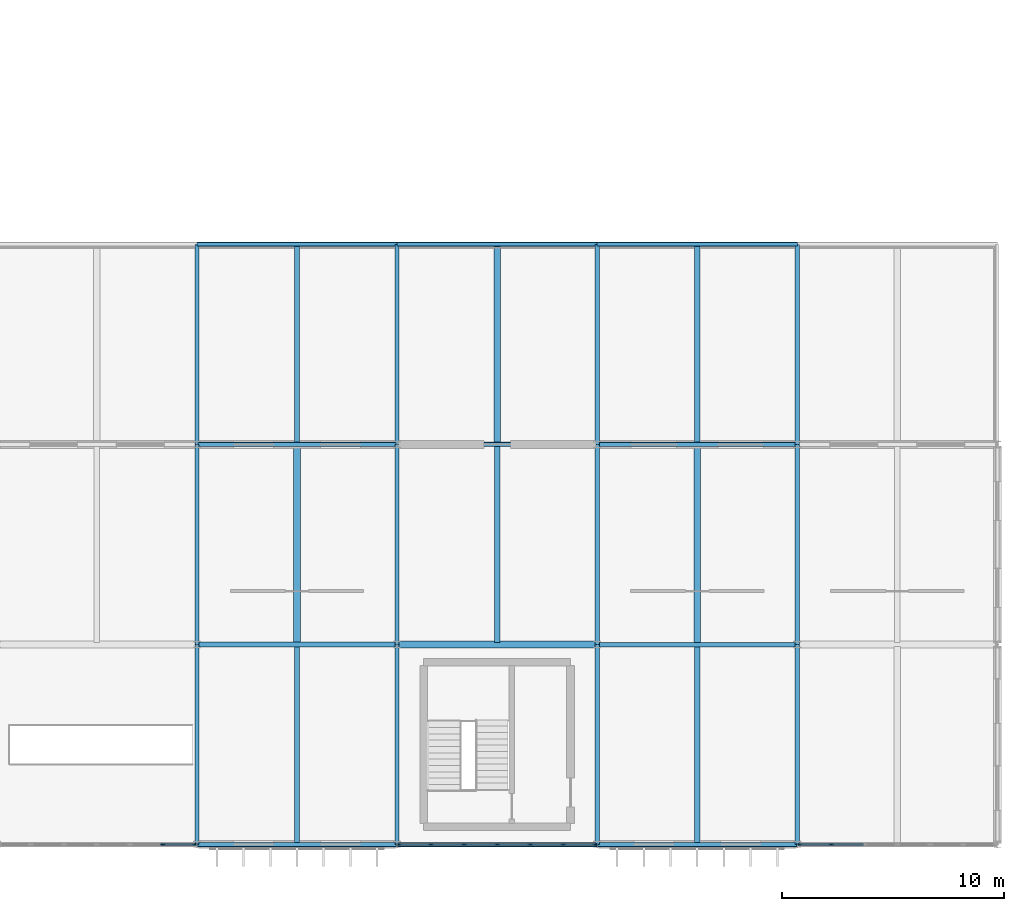
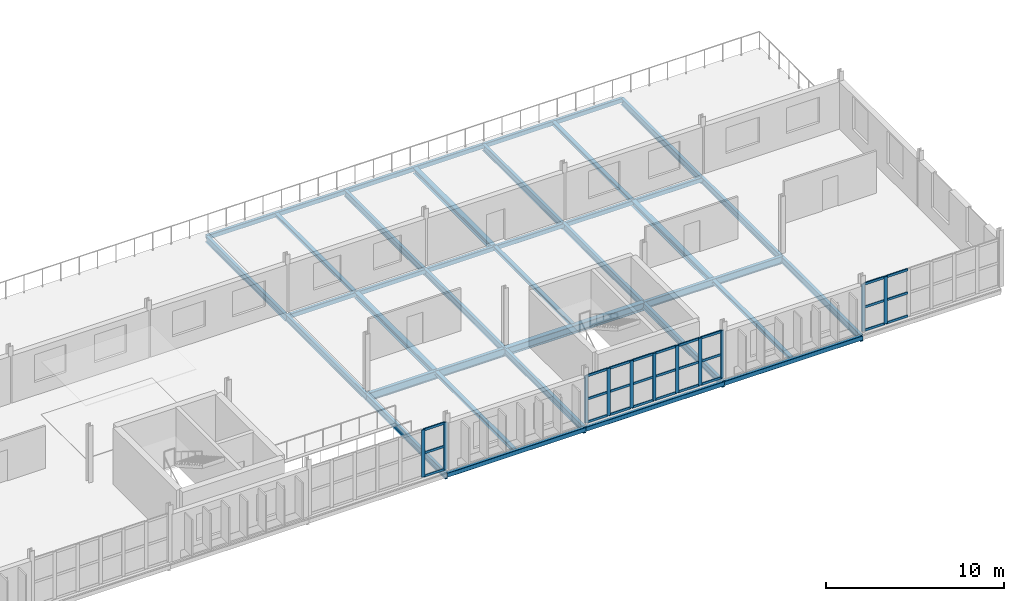
# One storey, part 57 of 123: 38 members, 32 beams, 3 elements without a shape of their own.
"""IFC4 building model written with IfcOpenShell, lengths in metres."""

from ifc_helpers import new_model, si_unit, direction, frame, origin, origin_2d, place, context, subcontext, project, spatial, rectangle, hollow_rectangle, i_section, extrude, material, material_profile, profile_set, type_object, element, aggregate, save


model = new_model("IFC4")

# Units and contexts
model_context = context("Model", 3, precision=1e-05, world=origin(), true_north=direction((0.0, 1.0)))
body_context = subcontext(model_context, "Body", "Model", "MODEL_VIEW")
ifc_project = project(units=[si_unit("LENGTHUNIT", "METRE"), si_unit("AREAUNIT", "SQUARE_METRE"), si_unit("VOLUMEUNIT", "CUBIC_METRE"), si_unit("PLANEANGLEUNIT", "RADIAN"), si_unit("MASSUNIT", "GRAM", prefix="KILO")], contexts=[model_context])

# Site, building, storey
site_placement = place(None, origin())
site = spatial("IfcSite", under=ifc_project, at=site_placement, CompositionType="ELEMENT")
building_placement = place(site_placement, origin())
building = spatial("IfcBuilding", under=site, at=building_placement, Name="Kildeholm Park Wholesale Market", CompositionType="ELEMENT")
storey_placement = place(building_placement, frame((0.0, 0.0, 9.60009765625)))
storey = spatial("IfcBuildingStorey", under=building, at=storey_placement, Name="L02", CompositionType="ELEMENT", Elevation=9.60009765625)

# Beams
ifc_material_1 = material(Name="Steel S355", Category="steel")
ifc_material_profile_1 = material_profile(ifc_material_1, i_section(OverallWidth=0.18994140625, OverallDepth=0.449951171875, WebThickness=0.009521484375, FlangeThickness=0.0146484375, FilletRadius=0.02099609375, at=origin_2d()), Name="IPE 450")
ifc_profile_set_1 = profile_set([ifc_material_profile_1], Name="Steel S355")
beam_type_1 = type_object("IfcBeamType", Name="Beam B-P02 IPE 450", PredefinedType="BEAM", material=ifc_profile_set_1)
for number, where, z_axis, x_axis, name in (
    (1, (162.0, 18.0, -0.51513671875), (0.0, 1.0, 0.0), (-1.0, 0.0, 0.0), "Beam BM-V5E-L02-Y-162-018 BM-1618"),
    (2, (171.0, 18.0, -0.51513671875), (0.0, 1.0, 0.0), (-1.0, 0.0, 0.0), "Beam BM-V5E-L02-Y-171-018 BM-1622"),
    (3, (180.0, 18.0, -0.51513671875), (0.0, 1.0, 0.0), (-1.0, 0.0, 0.0), "Beam BM-V5E-L02-Y-180-018 BM-1626"),
    (4, (189.0, 18.0, -0.51513671875), (0.0, 1.0, 0.0), (-1.0, 0.0, 0.0), "Beam BM-V5E-L02-Y-189-018 BM-1630"),
    (5, (162.0, 0.0, -0.465087890625), (0.0, 1.0, 0.0), (-1.0, 0.0, 0.0), "Beam BM-V5E-L02-Y-162-000 BM-1657"),
    (6, (162.0, 9.0, -0.465087890625), (0.0, 1.0, 0.0), (-1.0, 0.0, 0.0), "Beam BM-V5E-L02-Y-162-009 BM-1660"),
    (7, (171.0, 0.0, -0.465087890625), (0.0, 1.0, 0.0), (-1.0, 0.0, 0.0), "Beam BM-V5E-L02-Y-171-000 BM-1663"),
    (8, (171.0, 9.0, -0.465087890625), (0.0, 1.0, 0.0), (-1.0, 0.0, 0.0), "Beam BM-V5E-L02-Y-171-009 BM-1665"),
    (9, (180.0, 0.0, -0.465087890625), (0.0, 1.0, 0.0), (-1.0, 0.0, 0.0), "Beam BM-V5E-L02-Y-180-000 BM-1668"),
    (10, (180.0, 9.0, -0.465087890625), (0.0, 1.0, 0.0), (-1.0, 0.0, 0.0), "Beam BM-V5E-L02-Y-180-009 BM-1671"),
    (11, (189.0, 0.0, -0.465087890625), (0.0, 1.0, 0.0), (-1.0, 0.0, 0.0), "Beam BM-V5E-L02-Y-189-000 BM-1674"),
    (12, (189.0, 9.0, -0.465087890625), (0.0, 1.0, 0.0), (-1.0, 0.0, 0.0), "Beam BM-V5E-L02-Y-189-009 BM-1677"),
):
    element("IfcBeam", number, at=place(storey_placement, frame(where, z_axis=z_axis, x_axis=x_axis)), inside=storey, type_object=beam_type_1, Name=name, PredefinedType="BEAM", context=body_context, shape_type="SweptSolid", body=[
        extrude(i_section(OverallWidth=0.18994140625, OverallDepth=0.449951171875, WebThickness=0.009521484375, FlangeThickness=0.0146484375, FilletRadius=0.02099609375, at=origin_2d()), origin(), (0.0, 0.0, 1.0), 9.0),
    ])
ifc_material_profile_2 = material_profile(ifc_material_1, i_section(OverallWidth=0.199951171875, OverallDepth=0.5, WebThickness=0.01025390625, FlangeThickness=0.01611328125, FilletRadius=0.02099609375, at=origin_2d()), Name="IPE 500")
ifc_profile_set_2 = profile_set([ifc_material_profile_2], Name="Steel S355")
beam_type_2 = type_object("IfcBeamType", Name="Beam B-P03 IPE 500", PredefinedType="BEAM", material=ifc_profile_set_2)
beam_1_placement = place(storey_placement, frame((180.0, 9.0, -0.489990234375), z_axis=(1.0, 0.0, 0.0), x_axis=(0.0, 1.0, 0.0)))
element("IfcBeam", 13, at=beam_1_placement, inside=storey, type_object=beam_type_2, Name="Beam BM-V5E-L02-X-180-009 BM-1670", PredefinedType="BEAM", context=body_context, shape_type="SweptSolid", body=[
    extrude(i_section(OverallWidth=0.199951171875, OverallDepth=0.5, WebThickness=0.01025390625, FlangeThickness=0.01611328125, FilletRadius=0.02099609375, at=origin_2d()), origin(), (0.0, 0.0, 1.0), 9.0),
])
ifc_material_profile_3 = material_profile(ifc_material_1, i_section(OverallWidth=0.2099609375, OverallDepth=0.550048828125, WebThickness=0.010986328125, FlangeThickness=0.01708984375, FilletRadius=0.02392578125, at=origin_2d()), Name="IPE 550")
ifc_profile_set_3 = profile_set([ifc_material_profile_3], Name="Steel S355")
beam_type_3 = type_object("IfcBeamType", Name="Beam B-X01 IPE 550", PredefinedType="BEAM", material=ifc_profile_set_3)
beam_2_placement = place(storey_placement, frame((162.0, 9.0, -0.51904296875), z_axis=(1.0, 0.0, 0.0), x_axis=(0.0, 1.0, 0.0)))
element("IfcBeam", 14, at=beam_2_placement, inside=storey, type_object=beam_type_3, Name="Beam BM-V5E-L02-X-162-009 BM-1659", PredefinedType="BEAM", context=body_context, shape_type="SweptSolid", body=[
    extrude(i_section(OverallWidth=0.2099609375, OverallDepth=0.550048828125, WebThickness=0.010986328125, FlangeThickness=0.01708984375, FilletRadius=0.02392578125, at=origin_2d()), origin(), (0.0, 0.0, 1.0), 9.0),
])
ifc_material_profile_4 = material_profile(ifc_material_1, i_section(OverallWidth=0.300048828125, OverallDepth=0.5400390625, WebThickness=0.012451171875, FlangeThickness=0.02392578125, FilletRadius=0.027099609375, at=origin_2d()), Name="HEA 550")
ifc_profile_set_4 = profile_set([ifc_material_profile_4], Name="Steel S355")
beam_type_4 = type_object("IfcBeamType", Name="Beam B-X02 HEA 550", PredefinedType="BEAM", material=ifc_profile_set_4)
beam_3_placement = place(storey_placement, frame((171.0, 9.0, -0.510009765625), z_axis=(1.0, 0.0, 0.0), x_axis=(0.0, 1.0, 0.0)))
element("IfcBeam", 15, at=beam_3_placement, inside=storey, type_object=beam_type_4, Name="Beam BM-V5E-L02-X-171-009 BM-1664", PredefinedType="BEAM", context=body_context, shape_type="SweptSolid", body=[
    extrude(i_section(OverallWidth=0.300048828125, OverallDepth=0.5400390625, WebThickness=0.012451171875, FlangeThickness=0.02392578125, FilletRadius=0.027099609375, at=origin_2d()), origin(), (0.0, 0.0, 1.0), 9.0),
])
ifc_material_profile_5 = material_profile(ifc_material_1, i_section(OverallWidth=0.239990234375, OverallDepth=0.22998046875, WebThickness=0.007568359375, FlangeThickness=0.011962890625, FilletRadius=0.02099609375, at=origin_2d()), Name="HEA 240")
ifc_profile_set_5 = profile_set([ifc_material_profile_5], Name="Steel S355")
beam_type_5 = type_object("IfcBeamType", Name="Beam J-05 HEA 240", PredefinedType="JOIST", material=ifc_profile_set_5)
for number, where, z_axis, x_axis, name in (
    (16, (166.5, 18.0849609375, -0.405029296875), (0.0, 1.0, 0.0), (-1.0, 0.0, 0.0), "Beam JT-V5E-L02-162-018 BM-1619"),
    (17, (184.5, 18.0849609375, -0.405029296875), (0.0, 1.0, 0.0), (-1.0, 0.0, 0.0), "Beam JT-V5E-L02-180-018 BM-1627"),
    (18, (166.5, 0.0849609375, -0.35498046875), (0.0, 1.0, 0.0), (-1.0, 0.0, 0.0), "Beam JT-V5E-L02-162-000 BM-1658"),
    (19, (175.5, 9.0849609375, -0.35498046875), (0.0, 1.0, 0.0), (-1.0, 0.0, 0.0), "Beam JT-V5E-L02-171-009 BM-1666"),
    (20, (184.5, 0.0849609375, -0.35498046875), (0.0, 1.0, 0.0), (-1.0, 0.0, 0.0), "Beam JT-V5E-L02-180-000 BM-1669"),
):
    element("IfcBeam", number, at=place(storey_placement, frame(where, z_axis=z_axis, x_axis=x_axis)), inside=storey, type_object=beam_type_5, Name=name, PredefinedType="JOIST", context=body_context, shape_type="SweptSolid", body=[
        extrude(i_section(OverallWidth=0.239990234375, OverallDepth=0.22998046875, WebThickness=0.007568359375, FlangeThickness=0.011962890625, FilletRadius=0.02099609375, at=origin_2d()), origin(), (0.0, 0.0, 1.0), 8.830078125),
    ])
ifc_material_profile_6 = material_profile(ifc_material_1, i_section(OverallWidth=0.300048828125, OverallDepth=0.389892578125, WebThickness=0.010986328125, FlangeThickness=0.01904296875, FilletRadius=0.027099609375, at=origin_2d()), Name="HEA 400")
ifc_profile_set_6 = profile_set([ifc_material_profile_6], Name="Steel S355")
beam_type_6 = type_object("IfcBeamType", Name="Beam J-06 HEA 400", PredefinedType="JOIST", material=ifc_profile_set_6)
for number, where, z_axis, x_axis, name in (
    (21, (175.5, 18.0849609375, -0.485107421875), (0.0, 1.0, 0.0), (-1.0, 0.0, 0.0), "Beam JT-V5E-L02-171-018 BM-1623"),
    (22, (166.5, 9.0849609375, -0.43505859375), (0.0, 1.0, 0.0), (-1.0, 0.0, 0.0), "Beam JT-V5E-L02-162-009 BM-1661"),
    (23, (184.5, 9.0849609375, -0.43505859375), (0.0, 1.0, 0.0), (-1.0, 0.0, 0.0), "Beam JT-V5E-L02-180-009 BM-1672"),
):
    element("IfcBeam", number, at=place(storey_placement, frame(where, z_axis=z_axis, x_axis=x_axis)), inside=storey, type_object=beam_type_6, Name=name, PredefinedType="JOIST", context=body_context, shape_type="SweptSolid", body=[
        extrude(i_section(OverallWidth=0.300048828125, OverallDepth=0.389892578125, WebThickness=0.010986328125, FlangeThickness=0.01904296875, FilletRadius=0.027099609375, at=origin_2d()), origin(), (0.0, 0.0, 1.0), 8.830078125),
    ])
ifc_material_profile_7 = material_profile(ifc_material_1, hollow_rectangle(XDim=0.199951171875, YDim=0.300048828125, WallThickness=0.012451171875, InnerFilletRadius=0.012451171875, OuterFilletRadius=0.02490234375, at=origin_2d()), Name="RHS 300x200x12.5")
ifc_profile_set_7 = profile_set([ifc_material_profile_7], Name="Steel S355")
beam_type_7 = type_object("IfcBeamType", Name="Beam SP-01 RHS 300x200x12.5", PredefinedType="SPANDREL", material=ifc_profile_set_7)
for number, where, z_axis, x_axis, name in (
    (24, (162.0, 18.0, -0.440185546875), (1.0, 0.0, 0.0), (0.0, 1.0, 0.0), "Beam BM-V5E-L02-X-162-018 BM-1617"),
    (25, (162.0, 27.0, -0.440185546875), (1.0, 0.0, 0.0), (0.0, 1.0, 0.0), "Beam BM-V5E-L02-X-162-027 BM-1620"),
    (26, (171.0, 18.0, -0.440185546875), (1.0, 0.0, 0.0), (0.0, 1.0, 0.0), "Beam BM-V5E-L02-X-171-018 BM-1621"),
    (27, (171.0, 27.0, -0.440185546875), (1.0, 0.0, 0.0), (0.0, 1.0, 0.0), "Beam BM-V5E-L02-X-171-027 BM-1624"),
    (28, (180.0, 18.0, -0.440185546875), (1.0, 0.0, 0.0), (0.0, 1.0, 0.0), "Beam BM-V5E-L02-X-180-018 BM-1625"),
    (29, (180.0, 27.0, -0.440185546875), (1.0, 0.0, 0.0), (0.0, 1.0, 0.0), "Beam BM-V5E-L02-X-180-027 BM-1628"),
    (30, (162.0, 0.0, -0.39404296875), (1.0, 0.0, 0.0), (0.0, 1.0, 0.0), "Beam BM-V5E-L02-X-162-000 BM-1656"),
    (31, (171.0, 0.0, -0.39404296875), (1.0, 0.0, 0.0), (0.0, 1.0, 0.0), "Beam BM-V5E-L02-X-171-000 BM-1662"),
    (32, (180.0, 0.0, -0.39404296875), (1.0, 0.0, 0.0), (0.0, 1.0, 0.0), "Beam BM-V5E-L02-X-180-000 BM-1667"),
):
    element("IfcBeam", number, at=place(storey_placement, frame(where, z_axis=z_axis, x_axis=x_axis)), inside=storey, type_object=beam_type_7, Name=name, PredefinedType="SPANDREL", context=body_context, shape_type="SweptSolid", body=[
        extrude(hollow_rectangle(XDim=0.199951171875, YDim=0.300048828125, WallThickness=0.012451171875, InnerFilletRadius=0.012451171875, OuterFilletRadius=0.02490234375, at=origin_2d()), origin(), (0.0, 0.0, 1.0), 9.0),
    ])

# Curtain wall, members
ifc_material_2 = material(Name="Anodised aluminium and low-E double-glazed glass", Category="aluminium")
curtain_wall_type = type_object("IfcCurtainWallType", Name="Park wing thermally broken curtain wall CW-03", PredefinedType="NOTDEFINED", material=ifc_material_2)
curtain_wall_1_placement = place(storey_placement, origin())
curtain_wall_1 = element("IfcCurtainWall", 33, at=curtain_wall_1_placement, inside=storey, type_object=curtain_wall_type, Name="Curtain wall CW-V5E-L02-S-04 CW-0156", PredefinedType="NOTDEFINED")
ifc_material_3 = material(Name="Anodised aluminium", Category="aluminium")
ifc_material_profile_8 = material_profile(ifc_material_3, rectangle(XDim=0.074951171875, YDim=0.219970703125, at=origin_2d()), Name="CWM 75x220")
ifc_profile_set_8 = profile_set([ifc_material_profile_8], Name="Anodised aluminium")
member_type_1 = type_object("IfcMemberType", Name="Curtain-wall mullion CWM-2 CWM 75x220", PredefinedType="MULLION", material=ifc_profile_set_8)
member_1_placement = place(storey_placement, frame((160.473388671875, 0.0, 0.0), z_axis=(0.0, 0.0, 1.0), x_axis=(0.0, 1.0, 0.0)))
member_1 = element("IfcMember", 34, at=member_1_placement, type_object=member_type_1, Name="CW-03 mullion 6 MEM-4770", PredefinedType="MULLION", context=body_context, shape_type="SweptSolid", body=[
    extrude(rectangle(XDim=0.074951171875, YDim=0.219970703125, at=origin_2d()), origin(), (0.0, 0.0, 1.0), 3.25),
])
member_2_placement = place(storey_placement, frame((161.922607421875, 0.0, 0.0), z_axis=(0.0, 0.0, 1.0), x_axis=(0.0, 1.0, 0.0)))
member_2 = element("IfcMember", 35, at=member_2_placement, type_object=member_type_1, Name="CW-03 mullion 7 MEM-4771", PredefinedType="MULLION", context=body_context, shape_type="SweptSolid", body=[
    extrude(rectangle(XDim=0.074951171875, YDim=0.219970703125, at=origin_2d()), origin(), (0.0, 0.0, 1.0), 3.25),
])

curtain_wall_2_placement = place(storey_placement, origin())
curtain_wall_2 = element("IfcCurtainWall", 36, at=curtain_wall_2_placement, inside=storey, type_object=curtain_wall_type, Name="Curtain wall CW-V5E-L02-S-06 CW-0157", PredefinedType="NOTDEFINED")
member_3_placement = place(storey_placement, frame((171.077392578125, 0.0, 0.0), z_axis=(0.0, 0.0, 1.0), x_axis=(0.0, 1.0, 0.0)))
member_3 = element("IfcMember", 37, at=member_3_placement, type_object=member_type_1, Name="CW-03 mullion 1 MEM-4790", PredefinedType="MULLION", context=body_context, shape_type="SweptSolid", body=[
    extrude(rectangle(XDim=0.074951171875, YDim=0.219970703125, at=origin_2d()), origin(), (0.0, 0.0, 1.0), 3.25),
])
member_4_placement = place(storey_placement, frame((172.526611328125, 0.0, 0.0), z_axis=(0.0, 0.0, 1.0), x_axis=(0.0, 1.0, 0.0)))
member_4 = element("IfcMember", 38, at=member_4_placement, type_object=member_type_1, Name="CW-03 mullion 2 MEM-4791", PredefinedType="MULLION", context=body_context, shape_type="SweptSolid", body=[
    extrude(rectangle(XDim=0.074951171875, YDim=0.219970703125, at=origin_2d()), origin(), (0.0, 0.0, 1.0), 3.25),
])
member_5_placement = place(storey_placement, frame((174.013427734375, 0.0, 0.0), z_axis=(0.0, 0.0, 1.0), x_axis=(0.0, 1.0, 0.0)))
member_5 = element("IfcMember", 39, at=member_5_placement, type_object=member_type_1, Name="CW-03 mullion 3 MEM-4792", PredefinedType="MULLION", context=body_context, shape_type="SweptSolid", body=[
    extrude(rectangle(XDim=0.074951171875, YDim=0.219970703125, at=origin_2d()), origin(), (0.0, 0.0, 1.0), 3.25),
])
member_6_placement = place(storey_placement, frame((175.5, 0.0, 0.0), z_axis=(0.0, 0.0, 1.0), x_axis=(0.0, 1.0, 0.0)))
member_6 = element("IfcMember", 40, at=member_6_placement, type_object=member_type_1, Name="CW-03 mullion 4 MEM-4793", PredefinedType="MULLION", context=body_context, shape_type="SweptSolid", body=[
    extrude(rectangle(XDim=0.074951171875, YDim=0.219970703125, at=origin_2d()), origin(), (0.0, 0.0, 1.0), 3.25),
])
member_7_placement = place(storey_placement, frame((176.986572265625, 0.0, 0.0), z_axis=(0.0, 0.0, 1.0), x_axis=(0.0, 1.0, 0.0)))
member_7 = element("IfcMember", 41, at=member_7_placement, type_object=member_type_1, Name="CW-03 mullion 5 MEM-4794", PredefinedType="MULLION", context=body_context, shape_type="SweptSolid", body=[
    extrude(rectangle(XDim=0.074951171875, YDim=0.219970703125, at=origin_2d()), origin(), (0.0, 0.0, 1.0), 3.25),
])
member_8_placement = place(storey_placement, frame((178.473388671875, 0.0, 0.0), z_axis=(0.0, 0.0, 1.0), x_axis=(0.0, 1.0, 0.0)))
member_8 = element("IfcMember", 42, at=member_8_placement, type_object=member_type_1, Name="CW-03 mullion 6 MEM-4795", PredefinedType="MULLION", context=body_context, shape_type="SweptSolid", body=[
    extrude(rectangle(XDim=0.074951171875, YDim=0.219970703125, at=origin_2d()), origin(), (0.0, 0.0, 1.0), 3.25),
])
member_9_placement = place(storey_placement, frame((179.922607421875, 0.0, 0.0), z_axis=(0.0, 0.0, 1.0), x_axis=(0.0, 1.0, 0.0)))
member_9 = element("IfcMember", 43, at=member_9_placement, type_object=member_type_1, Name="CW-03 mullion 7 MEM-4796", PredefinedType="MULLION", context=body_context, shape_type="SweptSolid", body=[
    extrude(rectangle(XDim=0.074951171875, YDim=0.219970703125, at=origin_2d()), origin(), (0.0, 0.0, 1.0), 3.25),
])

curtain_wall_3_placement = place(storey_placement, origin())
curtain_wall_3 = element("IfcCurtainWall", 44, at=curtain_wall_3_placement, inside=storey, type_object=curtain_wall_type, Name="Curtain wall CW-V5E-L02-S-08 CW-0158", PredefinedType="NOTDEFINED")
member_10_placement = place(storey_placement, frame((189.077392578125, 0.0, 0.0), z_axis=(0.0, 0.0, 1.0), x_axis=(0.0, 1.0, 0.0)))
member_10 = element("IfcMember", 45, at=member_10_placement, type_object=member_type_1, Name="CW-03 mullion 1 MEM-4815", PredefinedType="MULLION", context=body_context, shape_type="SweptSolid", body=[
    extrude(rectangle(XDim=0.074951171875, YDim=0.219970703125, at=origin_2d()), origin(), (0.0, 0.0, 1.0), 3.25),
])
member_11_placement = place(storey_placement, frame((190.526611328125, 0.0, 0.0), z_axis=(0.0, 0.0, 1.0), x_axis=(0.0, 1.0, 0.0)))
member_11 = element("IfcMember", 46, at=member_11_placement, type_object=member_type_1, Name="CW-03 mullion 2 MEM-4816", PredefinedType="MULLION", context=body_context, shape_type="SweptSolid", body=[
    extrude(rectangle(XDim=0.074951171875, YDim=0.219970703125, at=origin_2d()), origin(), (0.0, 0.0, 1.0), 3.25),
])

# Member
ifc_material_profile_9 = material_profile(ifc_material_3, rectangle(XDim=0.074951171875, YDim=0.159912109375, at=origin_2d()), Name="CWT 75x160")
ifc_profile_set_9 = profile_set([ifc_material_profile_9], Name="Anodised aluminium")
member_type_2 = type_object("IfcMemberType", Name="Curtain-wall transom CWT-2 CWT 75x160", PredefinedType="USERDEFINED", material=ifc_profile_set_9)
member_12_placement = place(storey_placement, frame((160.5107421875, 0.0, 0.037353515625), z_axis=(1.0, 0.0, 0.0), x_axis=(0.0, 1.0, 0.0)))
member_12 = element("IfcMember", 47, at=member_12_placement, type_object=member_type_2, Name="CW-03 transom 6.1 MEM-4787", ObjectType="TRANSOM", PredefinedType="USERDEFINED", context=body_context, shape_type="SweptSolid", body=[
    extrude(rectangle(XDim=0.074951171875, YDim=0.159912109375, at=origin_2d()), origin(), (0.0, 0.0, 1.0), 1.374267578125),
])

member_13_placement = place(storey_placement, frame((160.5107421875, 0.0, 1.625), z_axis=(1.0, 0.0, 0.0), x_axis=(0.0, 1.0, 0.0)))
member_13 = element("IfcMember", 48, at=member_13_placement, type_object=member_type_2, Name="CW-03 transom 6.2 MEM-4788", ObjectType="TRANSOM", PredefinedType="USERDEFINED", context=body_context, shape_type="SweptSolid", body=[
    extrude(rectangle(XDim=0.074951171875, YDim=0.159912109375, at=origin_2d()), origin(), (0.0, 0.0, 1.0), 1.374267578125),
])

member_14_placement = place(storey_placement, frame((160.5107421875, 0.0, 3.21240234375), z_axis=(1.0, 0.0, 0.0), x_axis=(0.0, 1.0, 0.0)))
member_14 = element("IfcMember", 49, at=member_14_placement, type_object=member_type_2, Name="CW-03 transom 6.3 MEM-4789", ObjectType="TRANSOM", PredefinedType="USERDEFINED", context=body_context, shape_type="SweptSolid", body=[
    extrude(rectangle(XDim=0.074951171875, YDim=0.159912109375, at=origin_2d()), origin(), (0.0, 0.0, 1.0), 1.374267578125),
])

aggregate(curtain_wall_1, [member_1, member_2, member_12, member_13, member_14])

member_15_placement = place(storey_placement, frame((171.114990234375, 0.0, 0.037353515625), z_axis=(1.0, 0.0, 0.0), x_axis=(0.0, 1.0, 0.0)))
member_15 = element("IfcMember", 50, at=member_15_placement, type_object=member_type_2, Name="CW-03 transom 1.1 MEM-4797", ObjectType="TRANSOM", PredefinedType="USERDEFINED", context=body_context, shape_type="SweptSolid", body=[
    extrude(rectangle(XDim=0.074951171875, YDim=0.159912109375, at=origin_2d()), origin(), (0.0, 0.0, 1.0), 1.374267578125),
])

member_16_placement = place(storey_placement, frame((171.114990234375, 0.0, 1.625), z_axis=(1.0, 0.0, 0.0), x_axis=(0.0, 1.0, 0.0)))
member_16 = element("IfcMember", 51, at=member_16_placement, type_object=member_type_2, Name="CW-03 transom 1.2 MEM-4798", ObjectType="TRANSOM", PredefinedType="USERDEFINED", context=body_context, shape_type="SweptSolid", body=[
    extrude(rectangle(XDim=0.074951171875, YDim=0.159912109375, at=origin_2d()), origin(), (0.0, 0.0, 1.0), 1.374267578125),
])

member_17_placement = place(storey_placement, frame((171.114990234375, 0.0, 3.21240234375), z_axis=(1.0, 0.0, 0.0), x_axis=(0.0, 1.0, 0.0)))
member_17 = element("IfcMember", 52, at=member_17_placement, type_object=member_type_2, Name="CW-03 transom 1.3 MEM-4799", ObjectType="TRANSOM", PredefinedType="USERDEFINED", context=body_context, shape_type="SweptSolid", body=[
    extrude(rectangle(XDim=0.074951171875, YDim=0.159912109375, at=origin_2d()), origin(), (0.0, 0.0, 1.0), 1.374267578125),
])

member_18_placement = place(storey_placement, frame((172.564208984375, 0.0, 0.037353515625), z_axis=(1.0, 0.0, 0.0), x_axis=(0.0, 1.0, 0.0)))
member_18 = element("IfcMember", 53, at=member_18_placement, type_object=member_type_2, Name="CW-03 transom 2.1 MEM-4800", ObjectType="TRANSOM", PredefinedType="USERDEFINED", context=body_context, shape_type="SweptSolid", body=[
    extrude(rectangle(XDim=0.074951171875, YDim=0.159912109375, at=origin_2d()), origin(), (0.0, 0.0, 1.0), 1.41162109375),
])

member_19_placement = place(storey_placement, frame((172.564208984375, 0.0, 1.625), z_axis=(1.0, 0.0, 0.0), x_axis=(0.0, 1.0, 0.0)))
member_19 = element("IfcMember", 54, at=member_19_placement, type_object=member_type_2, Name="CW-03 transom 2.2 MEM-4801", ObjectType="TRANSOM", PredefinedType="USERDEFINED", context=body_context, shape_type="SweptSolid", body=[
    extrude(rectangle(XDim=0.074951171875, YDim=0.159912109375, at=origin_2d()), origin(), (0.0, 0.0, 1.0), 1.41162109375),
])

member_20_placement = place(storey_placement, frame((172.564208984375, 0.0, 3.21240234375), z_axis=(1.0, 0.0, 0.0), x_axis=(0.0, 1.0, 0.0)))
member_20 = element("IfcMember", 55, at=member_20_placement, type_object=member_type_2, Name="CW-03 transom 2.3 MEM-4802", ObjectType="TRANSOM", PredefinedType="USERDEFINED", context=body_context, shape_type="SweptSolid", body=[
    extrude(rectangle(XDim=0.074951171875, YDim=0.159912109375, at=origin_2d()), origin(), (0.0, 0.0, 1.0), 1.41162109375),
])

member_21_placement = place(storey_placement, frame((174.05078125, 0.0, 0.037353515625), z_axis=(1.0, 0.0, 0.0), x_axis=(0.0, 1.0, 0.0)))
member_21 = element("IfcMember", 56, at=member_21_placement, type_object=member_type_2, Name="CW-03 transom 3.1 MEM-4803", ObjectType="TRANSOM", PredefinedType="USERDEFINED", context=body_context, shape_type="SweptSolid", body=[
    extrude(rectangle(XDim=0.074951171875, YDim=0.159912109375, at=origin_2d()), origin(), (0.0, 0.0, 1.0), 1.41162109375),
])

member_22_placement = place(storey_placement, frame((174.05078125, 0.0, 1.625), z_axis=(1.0, 0.0, 0.0), x_axis=(0.0, 1.0, 0.0)))
member_22 = element("IfcMember", 57, at=member_22_placement, type_object=member_type_2, Name="CW-03 transom 3.2 MEM-4804", ObjectType="TRANSOM", PredefinedType="USERDEFINED", context=body_context, shape_type="SweptSolid", body=[
    extrude(rectangle(XDim=0.074951171875, YDim=0.159912109375, at=origin_2d()), origin(), (0.0, 0.0, 1.0), 1.41162109375),
])

member_23_placement = place(storey_placement, frame((174.05078125, 0.0, 3.21240234375), z_axis=(1.0, 0.0, 0.0), x_axis=(0.0, 1.0, 0.0)))
member_23 = element("IfcMember", 58, at=member_23_placement, type_object=member_type_2, Name="CW-03 transom 3.3 MEM-4805", ObjectType="TRANSOM", PredefinedType="USERDEFINED", context=body_context, shape_type="SweptSolid", body=[
    extrude(rectangle(XDim=0.074951171875, YDim=0.159912109375, at=origin_2d()), origin(), (0.0, 0.0, 1.0), 1.41162109375),
])

member_24_placement = place(storey_placement, frame((175.53759765625, 0.0, 0.037353515625), z_axis=(1.0, 0.0, 0.0), x_axis=(0.0, 1.0, 0.0)))
member_24 = element("IfcMember", 59, at=member_24_placement, type_object=member_type_2, Name="CW-03 transom 4.1 MEM-4806", ObjectType="TRANSOM", PredefinedType="USERDEFINED", context=body_context, shape_type="SweptSolid", body=[
    extrude(rectangle(XDim=0.074951171875, YDim=0.159912109375, at=origin_2d()), origin(), (0.0, 0.0, 1.0), 1.41162109375),
])

member_25_placement = place(storey_placement, frame((175.53759765625, 0.0, 1.625), z_axis=(1.0, 0.0, 0.0), x_axis=(0.0, 1.0, 0.0)))
member_25 = element("IfcMember", 60, at=member_25_placement, type_object=member_type_2, Name="CW-03 transom 4.2 MEM-4807", ObjectType="TRANSOM", PredefinedType="USERDEFINED", context=body_context, shape_type="SweptSolid", body=[
    extrude(rectangle(XDim=0.074951171875, YDim=0.159912109375, at=origin_2d()), origin(), (0.0, 0.0, 1.0), 1.41162109375),
])

member_26_placement = place(storey_placement, frame((175.53759765625, 0.0, 3.21240234375), z_axis=(1.0, 0.0, 0.0), x_axis=(0.0, 1.0, 0.0)))
member_26 = element("IfcMember", 61, at=member_26_placement, type_object=member_type_2, Name="CW-03 transom 4.3 MEM-4808", ObjectType="TRANSOM", PredefinedType="USERDEFINED", context=body_context, shape_type="SweptSolid", body=[
    extrude(rectangle(XDim=0.074951171875, YDim=0.159912109375, at=origin_2d()), origin(), (0.0, 0.0, 1.0), 1.41162109375),
])

member_27_placement = place(storey_placement, frame((177.024169921875, 0.0, 0.037353515625), z_axis=(1.0, 0.0, 0.0), x_axis=(0.0, 1.0, 0.0)))
member_27 = element("IfcMember", 62, at=member_27_placement, type_object=member_type_2, Name="CW-03 transom 5.1 MEM-4809", ObjectType="TRANSOM", PredefinedType="USERDEFINED", context=body_context, shape_type="SweptSolid", body=[
    extrude(rectangle(XDim=0.074951171875, YDim=0.159912109375, at=origin_2d()), origin(), (0.0, 0.0, 1.0), 1.41162109375),
])

member_28_placement = place(storey_placement, frame((177.024169921875, 0.0, 1.625), z_axis=(1.0, 0.0, 0.0), x_axis=(0.0, 1.0, 0.0)))
member_28 = element("IfcMember", 63, at=member_28_placement, type_object=member_type_2, Name="CW-03 transom 5.2 MEM-4810", ObjectType="TRANSOM", PredefinedType="USERDEFINED", context=body_context, shape_type="SweptSolid", body=[
    extrude(rectangle(XDim=0.074951171875, YDim=0.159912109375, at=origin_2d()), origin(), (0.0, 0.0, 1.0), 1.41162109375),
])

member_29_placement = place(storey_placement, frame((177.024169921875, 0.0, 3.21240234375), z_axis=(1.0, 0.0, 0.0), x_axis=(0.0, 1.0, 0.0)))
member_29 = element("IfcMember", 64, at=member_29_placement, type_object=member_type_2, Name="CW-03 transom 5.3 MEM-4811", ObjectType="TRANSOM", PredefinedType="USERDEFINED", context=body_context, shape_type="SweptSolid", body=[
    extrude(rectangle(XDim=0.074951171875, YDim=0.159912109375, at=origin_2d()), origin(), (0.0, 0.0, 1.0), 1.41162109375),
])

member_30_placement = place(storey_placement, frame((178.5107421875, 0.0, 0.037353515625), z_axis=(1.0, 0.0, 0.0), x_axis=(0.0, 1.0, 0.0)))
member_30 = element("IfcMember", 65, at=member_30_placement, type_object=member_type_2, Name="CW-03 transom 6.1 MEM-4812", ObjectType="TRANSOM", PredefinedType="USERDEFINED", context=body_context, shape_type="SweptSolid", body=[
    extrude(rectangle(XDim=0.074951171875, YDim=0.159912109375, at=origin_2d()), origin(), (0.0, 0.0, 1.0), 1.374267578125),
])

member_31_placement = place(storey_placement, frame((178.5107421875, 0.0, 1.625), z_axis=(1.0, 0.0, 0.0), x_axis=(0.0, 1.0, 0.0)))
member_31 = element("IfcMember", 66, at=member_31_placement, type_object=member_type_2, Name="CW-03 transom 6.2 MEM-4813", ObjectType="TRANSOM", PredefinedType="USERDEFINED", context=body_context, shape_type="SweptSolid", body=[
    extrude(rectangle(XDim=0.074951171875, YDim=0.159912109375, at=origin_2d()), origin(), (0.0, 0.0, 1.0), 1.374267578125),
])

member_32_placement = place(storey_placement, frame((178.5107421875, 0.0, 3.21240234375), z_axis=(1.0, 0.0, 0.0), x_axis=(0.0, 1.0, 0.0)))
member_32 = element("IfcMember", 67, at=member_32_placement, type_object=member_type_2, Name="CW-03 transom 6.3 MEM-4814", ObjectType="TRANSOM", PredefinedType="USERDEFINED", context=body_context, shape_type="SweptSolid", body=[
    extrude(rectangle(XDim=0.074951171875, YDim=0.159912109375, at=origin_2d()), origin(), (0.0, 0.0, 1.0), 1.374267578125),
])

aggregate(curtain_wall_2, [member_3, member_4, member_5, member_6, member_7, member_8, member_9, member_15, member_16, member_17, member_18, member_19, member_20, member_21, member_22, member_23, member_24, member_25, member_26, member_27, member_28, member_29, member_30, member_31, member_32])

member_33_placement = place(storey_placement, frame((189.114990234375, 0.0, 0.037353515625), z_axis=(1.0, 0.0, 0.0), x_axis=(0.0, 1.0, 0.0)))
member_33 = element("IfcMember", 68, at=member_33_placement, type_object=member_type_2, Name="CW-03 transom 1.1 MEM-4822", ObjectType="TRANSOM", PredefinedType="USERDEFINED", context=body_context, shape_type="SweptSolid", body=[
    extrude(rectangle(XDim=0.074951171875, YDim=0.159912109375, at=origin_2d()), origin(), (0.0, 0.0, 1.0), 1.374267578125),
])

member_34_placement = place(storey_placement, frame((189.114990234375, 0.0, 1.625), z_axis=(1.0, 0.0, 0.0), x_axis=(0.0, 1.0, 0.0)))
member_34 = element("IfcMember", 69, at=member_34_placement, type_object=member_type_2, Name="CW-03 transom 1.2 MEM-4823", ObjectType="TRANSOM", PredefinedType="USERDEFINED", context=body_context, shape_type="SweptSolid", body=[
    extrude(rectangle(XDim=0.074951171875, YDim=0.159912109375, at=origin_2d()), origin(), (0.0, 0.0, 1.0), 1.374267578125),
])

member_35_placement = place(storey_placement, frame((189.114990234375, 0.0, 3.21240234375), z_axis=(1.0, 0.0, 0.0), x_axis=(0.0, 1.0, 0.0)))
member_35 = element("IfcMember", 70, at=member_35_placement, type_object=member_type_2, Name="CW-03 transom 1.3 MEM-4824", ObjectType="TRANSOM", PredefinedType="USERDEFINED", context=body_context, shape_type="SweptSolid", body=[
    extrude(rectangle(XDim=0.074951171875, YDim=0.159912109375, at=origin_2d()), origin(), (0.0, 0.0, 1.0), 1.374267578125),
])

member_36_placement = place(storey_placement, frame((190.564208984375, 0.0, 0.037353515625), z_axis=(1.0, 0.0, 0.0), x_axis=(0.0, 1.0, 0.0)))
member_36 = element("IfcMember", 71, at=member_36_placement, type_object=member_type_2, Name="CW-03 transom 2.1 MEM-4825", ObjectType="TRANSOM", PredefinedType="USERDEFINED", context=body_context, shape_type="SweptSolid", body=[
    extrude(rectangle(XDim=0.074951171875, YDim=0.159912109375, at=origin_2d()), origin(), (0.0, 0.0, 1.0), 1.41162109375),
])

member_37_placement = place(storey_placement, frame((190.564208984375, 0.0, 1.625), z_axis=(1.0, 0.0, 0.0), x_axis=(0.0, 1.0, 0.0)))
member_37 = element("IfcMember", 72, at=member_37_placement, type_object=member_type_2, Name="CW-03 transom 2.2 MEM-4826", ObjectType="TRANSOM", PredefinedType="USERDEFINED", context=body_context, shape_type="SweptSolid", body=[
    extrude(rectangle(XDim=0.074951171875, YDim=0.159912109375, at=origin_2d()), origin(), (0.0, 0.0, 1.0), 1.41162109375),
])

member_38_placement = place(storey_placement, frame((190.564208984375, 0.0, 3.21240234375), z_axis=(1.0, 0.0, 0.0), x_axis=(0.0, 1.0, 0.0)))
member_38 = element("IfcMember", 73, at=member_38_placement, type_object=member_type_2, Name="CW-03 transom 2.3 MEM-4827", ObjectType="TRANSOM", PredefinedType="USERDEFINED", context=body_context, shape_type="SweptSolid", body=[
    extrude(rectangle(XDim=0.074951171875, YDim=0.159912109375, at=origin_2d()), origin(), (0.0, 0.0, 1.0), 1.41162109375),
])

aggregate(curtain_wall_3, [member_10, member_11, member_33, member_34, member_35, member_36, member_37, member_38])

save(model, "model.ifc")
